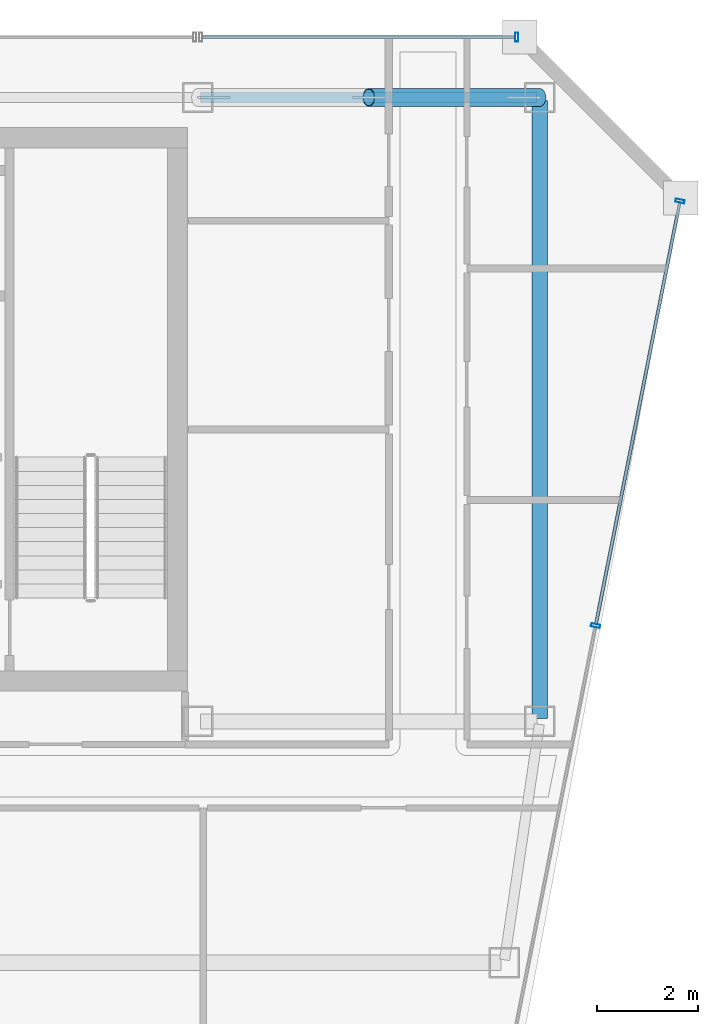
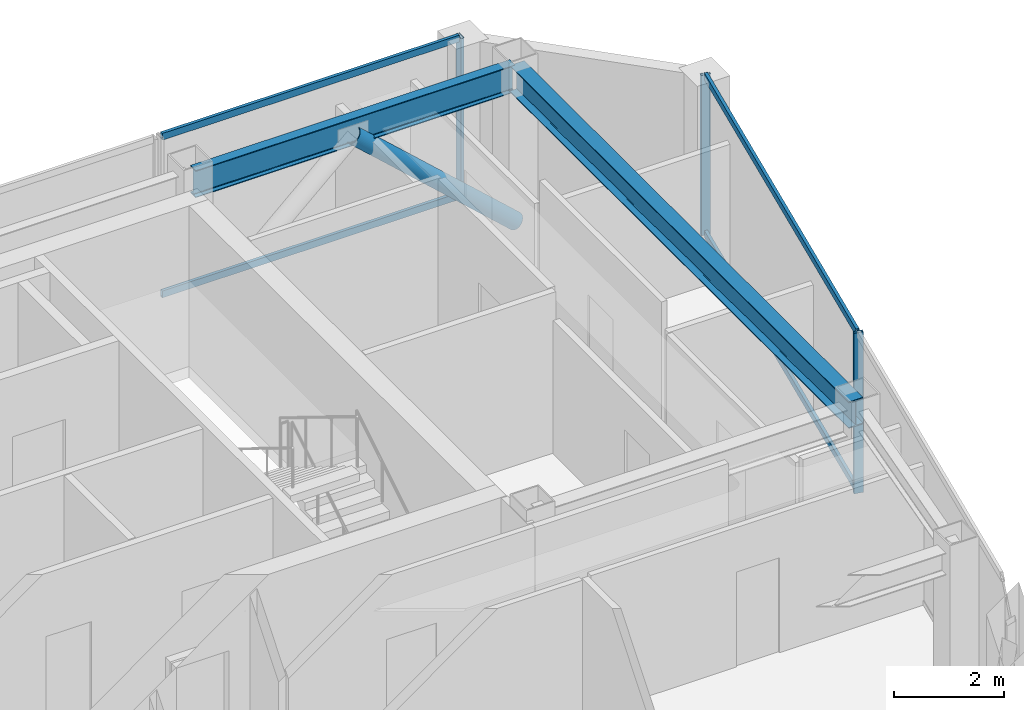
# One storey, part 12 of 20: 8 members, 2 beams, 2 elements without a shape of their own.
"""IFC4 building model written with IfcOpenShell, lengths in metres."""

from ifc_helpers import new_model, si_unit, direction, frame, origin, origin_2d, place, context, subcontext, project, spatial, hollow_rectangle, hollow_circle, i_section, extrude, material, material_profile, profile_set, type_object, element, aggregate, save


model = new_model("IFC4")

# Units and contexts
model_context = context("Model", 3, precision=1e-05, world=origin(), true_north=direction((0.0, 1.0)))
body_context = subcontext(model_context, "Body", "Model", "MODEL_VIEW")
ifc_project = project(units=[si_unit("LENGTHUNIT", "METRE"), si_unit("AREAUNIT", "SQUARE_METRE"), si_unit("VOLUMEUNIT", "CUBIC_METRE"), si_unit("PLANEANGLEUNIT", "RADIAN"), si_unit("MASSUNIT", "GRAM", prefix="KILO")], contexts=[model_context])

# Site, building, storey
site_placement = place(None, origin())
site = spatial("IfcSite", under=ifc_project, at=site_placement, CompositionType="ELEMENT")
building_placement = place(site_placement, origin())
building = spatial("IfcBuilding", under=site, at=building_placement, Name="Saevonmaru Cultural Tower", CompositionType="ELEMENT")
storey_placement = place(building_placement, frame((0.0, 0.0, 295.199951171875)))
storey = spatial("IfcBuildingStorey", under=building, at=storey_placement, Name="L70", CompositionType="ELEMENT", Elevation=295.199951171875)

# Beams
ifc_material_1 = material(Name="Steel SM355", Category="steel")
ifc_material_profile_1 = material_profile(ifc_material_1, i_section(OverallWidth=0.300048828125, OverallDepth=0.587890625, WebThickness=0.011962890625, FlangeThickness=0.02001953125, FilletRadius=0.02392578125, at=origin_2d()), Name="H-588x300x12x20")
ifc_profile_set_1 = profile_set([ifc_material_profile_1], Name="Steel SM355")
beam_type_1 = type_object("IfcBeamType", Name="BM-G-H588", PredefinedType="BEAM", material=ifc_profile_set_1)
beam_1_placement = place(storey_placement, frame((53.199951171875, 54.739990234375, 3.256103515625), z_axis=(0.0, -1.0, 0.0), x_axis=(1.0, 0.0, 0.0)))
element("IfcBeam", 1, at=beam_1_placement, inside=storey, type_object=beam_type_1, Name="L70 Spine Transverse Girder E", PredefinedType="BEAM", context=body_context, shape_type="SweptSolid", body=[
    extrude(i_section(OverallWidth=0.300048828125, OverallDepth=0.587890625, WebThickness=0.011962890625, FlangeThickness=0.02001953125, FilletRadius=0.02392578125, at=origin_2d()), origin(), (0.0, 0.0, 1.0), 12.280029296875),
])
ifc_material_profile_2 = material_profile(ifc_material_1, i_section(OverallWidth=0.199951171875, OverallDepth=0.60009765625, WebThickness=0.010986328125, FlangeThickness=0.01708984375, FilletRadius=0.02197265625, at=origin_2d()), Name="H-600x200x11x17")
ifc_profile_set_2 = profile_set([ifc_material_profile_2], Name="Steel SM355")
beam_type_2 = type_object("IfcBeamType", Name="BM-SP-H600", PredefinedType="SPANDREL", material=ifc_profile_set_2)
beam_2_placement = place(storey_placement, frame((46.4599609375, 54.800048828125, 3.25), z_axis=(1.0, 0.0, 0.0), x_axis=(0.0, 1.0, 0.0)))
element("IfcBeam", 2, at=beam_2_placement, inside=storey, type_object=beam_type_2, Name="L70 North Spine Girder 5", PredefinedType="SPANDREL", context=body_context, shape_type="SweptSolid", body=[
    extrude(i_section(OverallWidth=0.199951171875, OverallDepth=0.60009765625, WebThickness=0.010986328125, FlangeThickness=0.01708984375, FilletRadius=0.02197265625, at=origin_2d()), origin(), (0.0, 0.0, 1.0), 6.679931640625),
])

# Member
ifc_material_profile_3 = material_profile(ifc_material_1, hollow_circle(Radius=0.177734375, WallThickness=0.01611328125, at=origin_2d()), Name="CHS-355.6x16")
ifc_profile_set_3 = profile_set([ifc_material_profile_3], Name="Steel SM355")
member_type_1 = type_object("IfcMemberType", Name="MB-PBR-CHS356", PredefinedType="BRACE", material=ifc_profile_set_3)
member_1_placement = place(storey_placement, frame((53.199951171875, 54.800048828125, 0.02001953125), z_axis=(-0.738935641579, 0.0, 0.673776014417), x_axis=(0.0, -1.0, 0.0)))
element("IfcMember", 3, at=member_1_placement, inside=storey, type_object=member_type_1, Name="L70 Perimeter Braced-Tube Diagonal EN2", PredefinedType="BRACE", context=body_context, shape_type="SweptSolid", body=[
    extrude(hollow_circle(Radius=0.177734375, WallThickness=0.01611328125, at=origin_2d()), origin(), (0.0, 0.0, 1.0), 4.60107421875),
])

# Curtain wall, members
ifc_material_2 = material(Name="Satin Bronze Anodised Aluminium", Category="aluminium")
curtain_wall_type = type_object("IfcCurtainWallType", Name="CW-TYP-B", PredefinedType="NOTDEFINED", material=ifc_material_2)
curtain_wall_1_placement = place(storey_placement, origin())
curtain_wall_1 = element("IfcCurtainWall", 4, at=curtain_wall_1_placement, inside=storey, type_object=curtain_wall_type, Name="L70 Unitised Curtain Wall E8", PredefinedType="NOTDEFINED")
ifc_material_profile_4 = material_profile(ifc_material_2, hollow_rectangle(XDim=0.06494140625, YDim=0.179931640625, WallThickness=0.00390625, at=origin_2d()), Name="ALU-MULL-180x65x4")
ifc_profile_set_4 = profile_set([ifc_material_profile_4], Name="Satin Bronze Anodised Aluminium")
member_type_2 = type_object("IfcMemberType", Name="ML-CW-180x65", PredefinedType="MULLION", material=ifc_profile_set_4)
member_2_placement = place(storey_placement, frame((54.31005859375, 44.300048828125, 0.0), z_axis=(0.0, 0.0, 1.0), x_axis=(0.195005484813, 0.980802151758, 0.0)))
member_2 = element("IfcMember", 5, at=member_2_placement, type_object=member_type_2, Name="CW-TW-L70-E8 mullion 2", PredefinedType="MULLION", context=body_context, shape_type="SweptSolid", body=[
    extrude(hollow_rectangle(XDim=0.06494140625, YDim=0.179931640625, WallThickness=0.00390625, at=origin_2d()), origin(), (0.0, 0.0, 1.0), 3.550048828125),
])
member_3_placement = place(storey_placement, frame((55.98828125, 52.7412109375, 0.0), z_axis=(0.0, 0.0, 1.0), x_axis=(0.195005484813, 0.980802151758, 0.0)))
member_3 = element("IfcMember", 6, at=member_3_placement, type_object=member_type_2, Name="CW-TW-L70-E8 mullion 3", PredefinedType="MULLION", context=body_context, shape_type="SweptSolid", body=[
    extrude(hollow_rectangle(XDim=0.06494140625, YDim=0.179931640625, WallThickness=0.00390625, at=origin_2d()), origin(), (0.0, 0.0, 1.0), 3.550048828125),
])

# Curtain wall, member
curtain_wall_2_placement = place(storey_placement, origin())
curtain_wall_2 = element("IfcCurtainWall", 7, at=curtain_wall_2_placement, inside=storey, type_object=curtain_wall_type, Name="L70 East Braced Bay Spandrel Curtain Wall E10A", PredefinedType="NOTDEFINED")
member_4_placement = place(storey_placement, frame((52.739990234375, 56.0, 0.0), z_axis=(0.0, 0.0, 1.0), x_axis=(-1.0, 0.0, 0.0)))
member_4 = element("IfcMember", 8, at=member_4_placement, type_object=member_type_2, Name="CW-TW-L70-E10A mullion 1", PredefinedType="MULLION", context=body_context, shape_type="SweptSolid", body=[
    extrude(hollow_rectangle(XDim=0.06494140625, YDim=0.179931640625, WallThickness=0.00390625, at=origin_2d()), origin(), (0.0, 0.0, 1.0), 3.550048828125),
])

# Member
ifc_material_profile_5 = material_profile(ifc_material_2, hollow_rectangle(XDim=0.06494140625, YDim=0.14990234375, WallThickness=0.00390625, at=origin_2d()), Name="ALU-TRAN-150x65x4")
ifc_profile_set_5 = profile_set([ifc_material_profile_5], Name="Satin Bronze Anodised Aluminium")
member_type_3 = type_object("IfcMemberType", Name="TR-CW-150x65", PredefinedType="USERDEFINED", material=ifc_profile_set_5)
member_5_placement = place(storey_placement, frame((54.31640625, 44.331787109375, 0.032470703125), z_axis=(0.194994665552, 0.980804302808, 0.0), x_axis=(-0.980804302808, 0.194994665552, 0.0)))
member_5 = element("IfcMember", 9, at=member_5_placement, type_object=member_type_3, Name="CW-TW-L70-E8 transom 2.1", ObjectType="TRANSOM", PredefinedType="USERDEFINED", context=body_context, shape_type="SweptSolid", body=[
    extrude(hollow_rectangle(XDim=0.06494140625, YDim=0.14990234375, WallThickness=0.00390625, at=origin_2d()), origin(), (0.0, 0.0, 1.0), 8.54150390625),
])

member_6_placement = place(storey_placement, frame((54.31640625, 44.331787109375, 3.517578125), z_axis=(0.194994665552, 0.980804302808, 0.0), x_axis=(-0.980804302808, 0.194994665552, 0.0)))
member_6 = element("IfcMember", 10, at=member_6_placement, type_object=member_type_3, Name="CW-TW-L70-E8 transom 2.2", ObjectType="TRANSOM", PredefinedType="USERDEFINED", context=body_context, shape_type="SweptSolid", body=[
    extrude(hollow_rectangle(XDim=0.06494140625, YDim=0.14990234375, WallThickness=0.00390625, at=origin_2d()), origin(), (0.0, 0.0, 1.0), 8.54150390625),
])

aggregate(curtain_wall_1, [member_2, member_3, member_5, member_6])

member_7_placement = place(storey_placement, frame((52.70751953125, 56.0, 0.032470703125), z_axis=(-1.0, 0.0, 0.0), x_axis=(0.0, -1.0, 0.0)))
member_7 = element("IfcMember", 11, at=member_7_placement, type_object=member_type_3, Name="CW-TW-L70-E10A transom 1.1", ObjectType="TRANSOM", PredefinedType="USERDEFINED", context=body_context, shape_type="SweptSolid", body=[
    extrude(hollow_rectangle(XDim=0.06494140625, YDim=0.14990234375, WallThickness=0.00390625, at=origin_2d()), origin(), (0.0, 0.0, 1.0), 6.215087890625),
])

member_8_placement = place(storey_placement, frame((52.70751953125, 56.0, 3.517578125), z_axis=(-1.0, 0.0, 0.0), x_axis=(0.0, -1.0, 0.0)))
member_8 = element("IfcMember", 12, at=member_8_placement, type_object=member_type_3, Name="CW-TW-L70-E10A transom 1.2", ObjectType="TRANSOM", PredefinedType="USERDEFINED", context=body_context, shape_type="SweptSolid", body=[
    extrude(hollow_rectangle(XDim=0.06494140625, YDim=0.14990234375, WallThickness=0.00390625, at=origin_2d()), origin(), (0.0, 0.0, 1.0), 6.215087890625),
])

aggregate(curtain_wall_2, [member_4, member_7, member_8])

save(model, "model.ifc")
